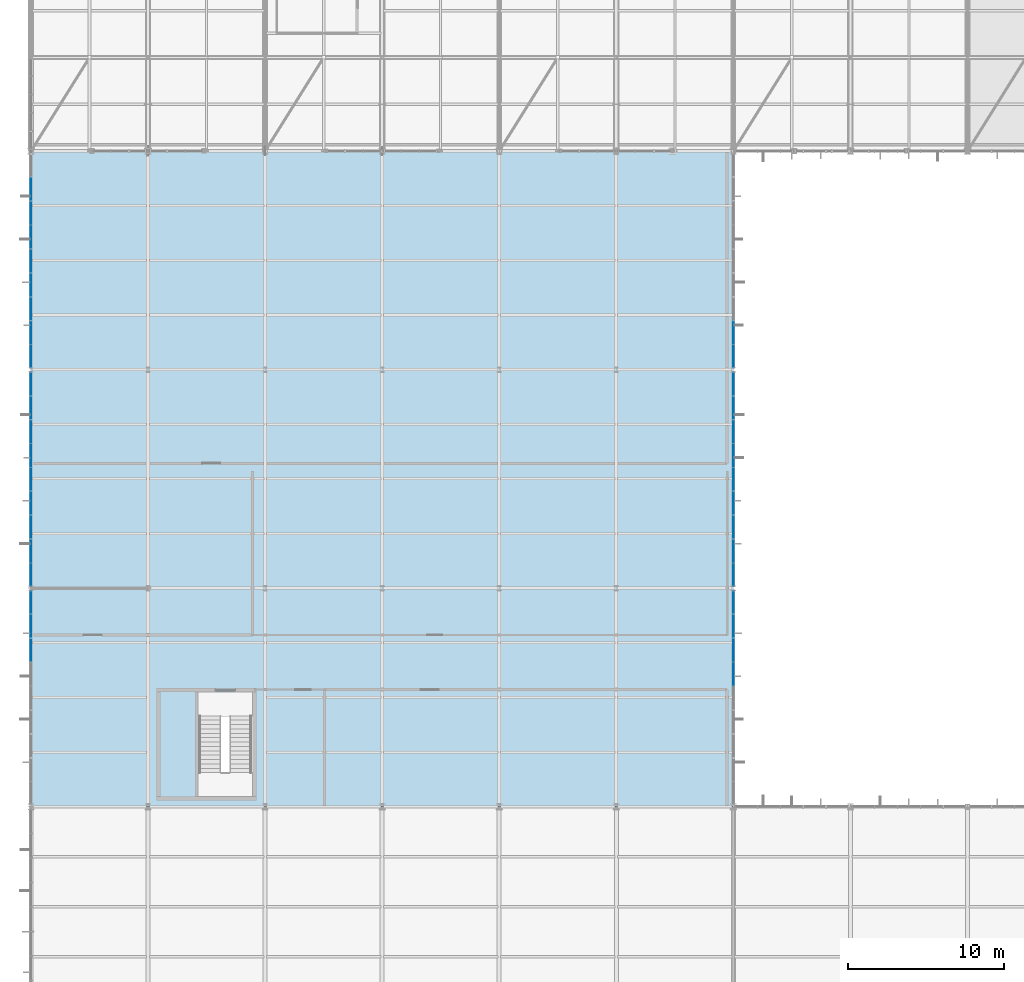
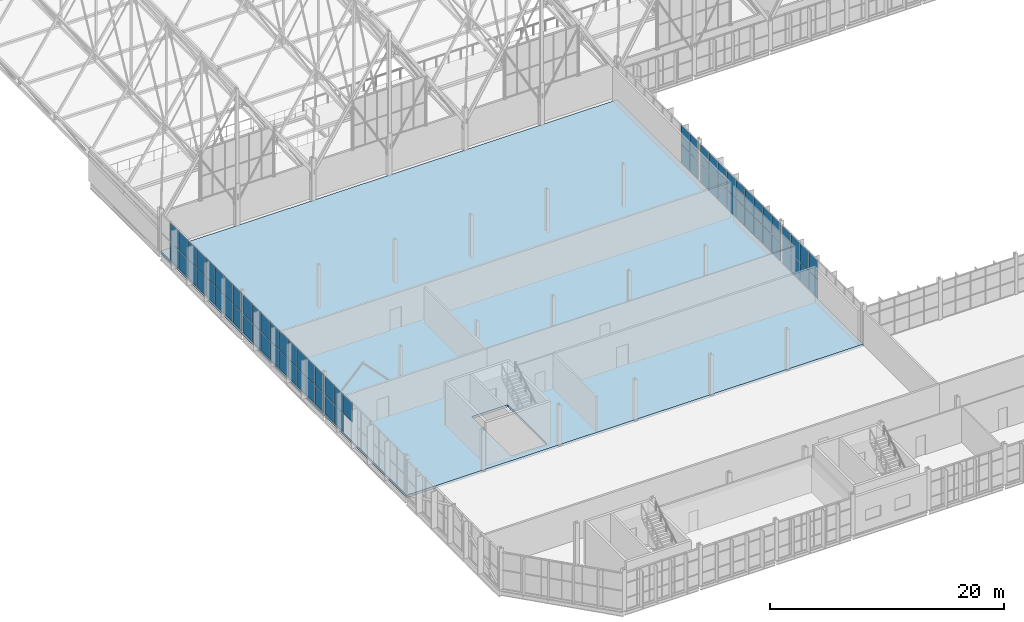
# One storey, part 268 of 324: 69 plates, 1 slab, 6 elements without a shape of their own.
"""IFC4 building model written with IfcOpenShell, lengths in metres."""

from ifc_helpers import new_model, si_unit, direction, frame, origin, origin_2d, place, context, subcontext, project, spatial, polyline, rectangle, outline, extrude, material, layer, layer_set, type_object, element, aggregate, save


model = new_model("IFC4")

# Units and contexts
model_context = context("Model", 3, precision=1e-05, world=origin(), true_north=direction((0.0, 1.0)))
body_context = subcontext(model_context, "Body", "Model", "MODEL_VIEW")
ifc_project = project(units=[si_unit("LENGTHUNIT", "METRE"), si_unit("AREAUNIT", "SQUARE_METRE"), si_unit("VOLUMEUNIT", "CUBIC_METRE"), si_unit("PLANEANGLEUNIT", "RADIAN"), si_unit("MASSUNIT", "GRAM", prefix="KILO")], contexts=[model_context])

# Site, building, storey
site_placement = place(None, origin())
site = spatial("IfcSite", under=ifc_project, at=site_placement, CompositionType="ELEMENT")
building_placement = place(site_placement, origin())
building = spatial("IfcBuilding", under=site, at=building_placement, Name="Solvenia Promenade Tram Depot", CompositionType="ELEMENT")
storey_placement = place(building_placement, frame((0.0, 0.0, 4.5)))
storey = spatial("IfcBuildingStorey", under=building, at=storey_placement, Name="L01", CompositionType="ELEMENT", Elevation=4.5)

# Curtain wall, plates
ifc_material_1 = material(Name="Anodized aluminium AW-6063 T6", Category="aluminium")
ifc_layer_1 = layer(ifc_material_1, 0.1201171875, Name="Anodized aluminium AW-6063 T6", Category="aluminium")
ifc_layer_set_1 = layer_set([ifc_layer_1], Name="Anodized aluminium AW-6063 T6")
curtain_wall_type = type_object("IfcCurtainWallType", Name="CW-Wash-1500", PredefinedType="NOTDEFINED", material=ifc_layer_set_1)
curtain_wall_1_placement = place(storey_placement, origin())
curtain_wall_1 = element("IfcCurtainWall", 1, at=curtain_wall_1_placement, inside=storey, type_object=curtain_wall_type, Name="Curtain Wall CW-V3-W-L1-1", PredefinedType="NOTDEFINED")
ifc_material_2 = material(Name="Low-iron translucent U-profile channel glass", Category="glass")
ifc_layer_2 = layer(ifc_material_2, 0.028076171875, Name="Low-iron translucent U-profile channel glass", Category="glass")
ifc_layer_set_2 = layer_set([ifc_layer_2], Name="Low-iron translucent U-profile channel glass")
plate_type = type_object("IfcPlateType", Name="CWP-Panel-1", PredefinedType="CURTAIN_PANEL", material=ifc_layer_set_2)
plate_1_placement = place(storey_placement, frame((0.0, 34.0322265625, 2.030029296875), z_axis=(0.0, 0.0, 1.0), x_axis=(0.0, 1.0, 0.0)))
plate_1 = element("IfcPlate", 2, at=plate_1_placement, type_object=plate_type, Name="CW-10 panel 7.2", PredefinedType="CURTAIN_PANEL", context=body_context, shape_type="SweptSolid", body=[
    extrude(rectangle(XDim=1.47900390625, YDim=0.028076171875, at=origin_2d()), origin(), (0.0, 0.0, 1.0), 1.9599609375),
])
plate_2_placement = place(storey_placement, frame((0.0, 35.563232421875, 0.06005859375), z_axis=(0.0, 0.0, 1.0), x_axis=(0.0, 1.0, 0.0)))
plate_2 = element("IfcPlate", 3, at=plate_2_placement, type_object=plate_type, Name="CW-10 panel 8.1", PredefinedType="CURTAIN_PANEL", context=body_context, shape_type="SweptSolid", body=[
    extrude(rectangle(XDim=1.47900390625, YDim=0.028076171875, at=origin_2d()), origin(), (0.0, 0.0, 1.0), 1.909912109375),
])
plate_3_placement = place(storey_placement, frame((0.0, 35.563232421875, 2.030029296875), z_axis=(0.0, 0.0, 1.0), x_axis=(0.0, 1.0, 0.0)))
plate_3 = element("IfcPlate", 4, at=plate_3_placement, type_object=plate_type, Name="CW-10 panel 8.2", PredefinedType="CURTAIN_PANEL", context=body_context, shape_type="SweptSolid", body=[
    extrude(rectangle(XDim=1.47900390625, YDim=0.028076171875, at=origin_2d()), origin(), (0.0, 0.0, 1.0), 1.9599609375),
])
plate_4_placement = place(storey_placement, frame((0.0, 37.08154296875, 0.06005859375), z_axis=(0.0, 0.0, 1.0), x_axis=(0.0, 1.0, 0.0)))
plate_4 = element("IfcPlate", 5, at=plate_4_placement, type_object=plate_type, Name="CW-10 panel 9.1", PredefinedType="CURTAIN_PANEL", context=body_context, shape_type="SweptSolid", body=[
    extrude(rectangle(XDim=1.453125, YDim=0.028076171875, at=origin_2d()), origin(), (0.0, 0.0, 1.0), 1.909912109375),
])
plate_5_placement = place(storey_placement, frame((0.0, 37.08154296875, 2.030029296875), z_axis=(0.0, 0.0, 1.0), x_axis=(0.0, 1.0, 0.0)))
plate_5 = element("IfcPlate", 6, at=plate_5_placement, type_object=plate_type, Name="CW-10 panel 9.2", PredefinedType="CURTAIN_PANEL", context=body_context, shape_type="SweptSolid", body=[
    extrude(rectangle(XDim=1.453125, YDim=0.028076171875, at=origin_2d()), origin(), (0.0, 0.0, 1.0), 1.9599609375),
])
aggregate(curtain_wall_1, [plate_1, plate_2, plate_3, plate_4, plate_5])

curtain_wall_2_placement = place(storey_placement, origin())
curtain_wall_2 = element("IfcCurtainWall", 7, at=curtain_wall_2_placement, inside=storey, type_object=curtain_wall_type, Name="Curtain Wall CW-V3-W-L1-2", PredefinedType="NOTDEFINED")
plate_6_placement = place(storey_placement, frame((0.0, 38.858642578125, 0.06005859375), z_axis=(0.0, 0.0, 1.0), x_axis=(0.0, 1.0, 0.0)))
plate_6 = element("IfcPlate", 8, at=plate_6_placement, type_object=plate_type, Name="CW-10 panel 1.1", PredefinedType="CURTAIN_PANEL", context=body_context, shape_type="SweptSolid", body=[
    extrude(rectangle(XDim=1.453125, YDim=0.028076171875, at=origin_2d()), origin(), (0.0, 0.0, 1.0), 1.909912109375),
])
plate_7_placement = place(storey_placement, frame((0.0, 38.858642578125, 2.030029296875), z_axis=(0.0, 0.0, 1.0), x_axis=(0.0, 1.0, 0.0)))
plate_7 = element("IfcPlate", 9, at=plate_7_placement, type_object=plate_type, Name="CW-10 panel 1.2", PredefinedType="CURTAIN_PANEL", context=body_context, shape_type="SweptSolid", body=[
    extrude(rectangle(XDim=1.453125, YDim=0.028076171875, at=origin_2d()), origin(), (0.0, 0.0, 1.0), 1.9599609375),
])
plate_8_placement = place(storey_placement, frame((0.0, 40.376708984375, 0.06005859375), z_axis=(0.0, 0.0, 1.0), x_axis=(0.0, 1.0, 0.0)))
plate_8 = element("IfcPlate", 10, at=plate_8_placement, type_object=plate_type, Name="CW-10 panel 2.1", PredefinedType="CURTAIN_PANEL", context=body_context, shape_type="SweptSolid", body=[
    extrude(rectangle(XDim=1.47900390625, YDim=0.028076171875, at=origin_2d()), origin(), (0.0, 0.0, 1.0), 1.909912109375),
])
plate_9_placement = place(storey_placement, frame((0.0, 40.376708984375, 2.030029296875), z_axis=(0.0, 0.0, 1.0), x_axis=(0.0, 1.0, 0.0)))
plate_9 = element("IfcPlate", 11, at=plate_9_placement, type_object=plate_type, Name="CW-10 panel 2.2", PredefinedType="CURTAIN_PANEL", context=body_context, shape_type="SweptSolid", body=[
    extrude(rectangle(XDim=1.47900390625, YDim=0.028076171875, at=origin_2d()), origin(), (0.0, 0.0, 1.0), 1.9599609375),
])
plate_10_placement = place(storey_placement, frame((0.0, 41.90771484375, 0.06005859375), z_axis=(0.0, 0.0, 1.0), x_axis=(0.0, 1.0, 0.0)))
plate_10 = element("IfcPlate", 12, at=plate_10_placement, type_object=plate_type, Name="CW-10 panel 3.1", PredefinedType="CURTAIN_PANEL", context=body_context, shape_type="SweptSolid", body=[
    extrude(rectangle(XDim=1.47900390625, YDim=0.028076171875, at=origin_2d()), origin(), (0.0, 0.0, 1.0), 1.909912109375),
])
plate_11_placement = place(storey_placement, frame((0.0, 41.90771484375, 2.030029296875), z_axis=(0.0, 0.0, 1.0), x_axis=(0.0, 1.0, 0.0)))
plate_11 = element("IfcPlate", 13, at=plate_11_placement, type_object=plate_type, Name="CW-10 panel 3.2", PredefinedType="CURTAIN_PANEL", context=body_context, shape_type="SweptSolid", body=[
    extrude(rectangle(XDim=1.47900390625, YDim=0.028076171875, at=origin_2d()), origin(), (0.0, 0.0, 1.0), 1.9599609375),
])
plate_12_placement = place(storey_placement, frame((0.0, 43.43896484375, 0.06005859375), z_axis=(0.0, 0.0, 1.0), x_axis=(0.0, 1.0, 0.0)))
plate_12 = element("IfcPlate", 14, at=plate_12_placement, type_object=plate_type, Name="CW-10 panel 4.1", PredefinedType="CURTAIN_PANEL", context=body_context, shape_type="SweptSolid", body=[
    extrude(rectangle(XDim=1.47900390625, YDim=0.028076171875, at=origin_2d()), origin(), (0.0, 0.0, 1.0), 1.909912109375),
])
plate_13_placement = place(storey_placement, frame((0.0, 43.43896484375, 2.030029296875), z_axis=(0.0, 0.0, 1.0), x_axis=(0.0, 1.0, 0.0)))
plate_13 = element("IfcPlate", 15, at=plate_13_placement, type_object=plate_type, Name="CW-10 panel 4.2", PredefinedType="CURTAIN_PANEL", context=body_context, shape_type="SweptSolid", body=[
    extrude(rectangle(XDim=1.47900390625, YDim=0.028076171875, at=origin_2d()), origin(), (0.0, 0.0, 1.0), 1.9599609375),
])
plate_14_placement = place(storey_placement, frame((0.0, 44.969970703125, 0.06005859375), z_axis=(0.0, 0.0, 1.0), x_axis=(0.0, 1.0, 0.0)))
plate_14 = element("IfcPlate", 16, at=plate_14_placement, type_object=plate_type, Name="CW-10 panel 5.1", PredefinedType="CURTAIN_PANEL", context=body_context, shape_type="SweptSolid", body=[
    extrude(rectangle(XDim=1.47900390625, YDim=0.028076171875, at=origin_2d()), origin(), (0.0, 0.0, 1.0), 1.909912109375),
])
plate_15_placement = place(storey_placement, frame((0.0, 44.969970703125, 2.030029296875), z_axis=(0.0, 0.0, 1.0), x_axis=(0.0, 1.0, 0.0)))
plate_15 = element("IfcPlate", 17, at=plate_15_placement, type_object=plate_type, Name="CW-10 panel 5.2", PredefinedType="CURTAIN_PANEL", context=body_context, shape_type="SweptSolid", body=[
    extrude(rectangle(XDim=1.47900390625, YDim=0.028076171875, at=origin_2d()), origin(), (0.0, 0.0, 1.0), 1.9599609375),
])
plate_16_placement = place(storey_placement, frame((0.0, 46.501220703125, 0.06005859375), z_axis=(0.0, 0.0, 1.0), x_axis=(0.0, 1.0, 0.0)))
plate_16 = element("IfcPlate", 18, at=plate_16_placement, type_object=plate_type, Name="CW-10 panel 6.1", PredefinedType="CURTAIN_PANEL", context=body_context, shape_type="SweptSolid", body=[
    extrude(rectangle(XDim=1.47900390625, YDim=0.028076171875, at=origin_2d()), origin(), (0.0, 0.0, 1.0), 1.909912109375),
])
plate_17_placement = place(storey_placement, frame((0.0, 46.501220703125, 2.030029296875), z_axis=(0.0, 0.0, 1.0), x_axis=(0.0, 1.0, 0.0)))
plate_17 = element("IfcPlate", 19, at=plate_17_placement, type_object=plate_type, Name="CW-10 panel 6.2", PredefinedType="CURTAIN_PANEL", context=body_context, shape_type="SweptSolid", body=[
    extrude(rectangle(XDim=1.47900390625, YDim=0.028076171875, at=origin_2d()), origin(), (0.0, 0.0, 1.0), 1.9599609375),
])
plate_18_placement = place(storey_placement, frame((0.0, 48.0322265625, 0.06005859375), z_axis=(0.0, 0.0, 1.0), x_axis=(0.0, 1.0, 0.0)))
plate_18 = element("IfcPlate", 20, at=plate_18_placement, type_object=plate_type, Name="CW-10 panel 7.1", PredefinedType="CURTAIN_PANEL", context=body_context, shape_type="SweptSolid", body=[
    extrude(rectangle(XDim=1.47900390625, YDim=0.028076171875, at=origin_2d()), origin(), (0.0, 0.0, 1.0), 1.909912109375),
])
plate_19_placement = place(storey_placement, frame((0.0, 48.0322265625, 2.030029296875), z_axis=(0.0, 0.0, 1.0), x_axis=(0.0, 1.0, 0.0)))
plate_19 = element("IfcPlate", 21, at=plate_19_placement, type_object=plate_type, Name="CW-10 panel 7.2", PredefinedType="CURTAIN_PANEL", context=body_context, shape_type="SweptSolid", body=[
    extrude(rectangle(XDim=1.47900390625, YDim=0.028076171875, at=origin_2d()), origin(), (0.0, 0.0, 1.0), 1.9599609375),
])
plate_20_placement = place(storey_placement, frame((0.0, 49.563232421875, 0.06005859375), z_axis=(0.0, 0.0, 1.0), x_axis=(0.0, 1.0, 0.0)))
plate_20 = element("IfcPlate", 22, at=plate_20_placement, type_object=plate_type, Name="CW-10 panel 8.1", PredefinedType="CURTAIN_PANEL", context=body_context, shape_type="SweptSolid", body=[
    extrude(rectangle(XDim=1.47900390625, YDim=0.028076171875, at=origin_2d()), origin(), (0.0, 0.0, 1.0), 1.909912109375),
])
plate_21_placement = place(storey_placement, frame((0.0, 49.563232421875, 2.030029296875), z_axis=(0.0, 0.0, 1.0), x_axis=(0.0, 1.0, 0.0)))
plate_21 = element("IfcPlate", 23, at=plate_21_placement, type_object=plate_type, Name="CW-10 panel 8.2", PredefinedType="CURTAIN_PANEL", context=body_context, shape_type="SweptSolid", body=[
    extrude(rectangle(XDim=1.47900390625, YDim=0.028076171875, at=origin_2d()), origin(), (0.0, 0.0, 1.0), 1.9599609375),
])
plate_22_placement = place(storey_placement, frame((0.0, 51.08154296875, 0.06005859375), z_axis=(0.0, 0.0, 1.0), x_axis=(0.0, 1.0, 0.0)))
plate_22 = element("IfcPlate", 24, at=plate_22_placement, type_object=plate_type, Name="CW-10 panel 9.1", PredefinedType="CURTAIN_PANEL", context=body_context, shape_type="SweptSolid", body=[
    extrude(rectangle(XDim=1.453125, YDim=0.028076171875, at=origin_2d()), origin(), (0.0, 0.0, 1.0), 1.909912109375),
])
plate_23_placement = place(storey_placement, frame((0.0, 51.08154296875, 2.030029296875), z_axis=(0.0, 0.0, 1.0), x_axis=(0.0, 1.0, 0.0)))
plate_23 = element("IfcPlate", 25, at=plate_23_placement, type_object=plate_type, Name="CW-10 panel 9.2", PredefinedType="CURTAIN_PANEL", context=body_context, shape_type="SweptSolid", body=[
    extrude(rectangle(XDim=1.453125, YDim=0.028076171875, at=origin_2d()), origin(), (0.0, 0.0, 1.0), 1.9599609375),
])
aggregate(curtain_wall_2, [plate_6, plate_7, plate_8, plate_9, plate_10, plate_11, plate_12, plate_13, plate_14, plate_15, plate_16, plate_17, plate_18, plate_19, plate_20, plate_21, plate_22, plate_23])

curtain_wall_3_placement = place(storey_placement, origin())
curtain_wall_3 = element("IfcCurtainWall", 26, at=curtain_wall_3_placement, inside=storey, type_object=curtain_wall_type, Name="Curtain Wall CW-V3-W-L1-3", PredefinedType="NOTDEFINED")
plate_24_placement = place(storey_placement, frame((0.0, 52.858642578125, 0.06005859375), z_axis=(0.0, 0.0, 1.0), x_axis=(0.0, 1.0, 0.0)))
plate_24 = element("IfcPlate", 27, at=plate_24_placement, type_object=plate_type, Name="CW-10 panel 1.1", PredefinedType="CURTAIN_PANEL", context=body_context, shape_type="SweptSolid", body=[
    extrude(rectangle(XDim=1.453125, YDim=0.028076171875, at=origin_2d()), origin(), (0.0, 0.0, 1.0), 1.909912109375),
])
plate_25_placement = place(storey_placement, frame((0.0, 52.858642578125, 2.030029296875), z_axis=(0.0, 0.0, 1.0), x_axis=(0.0, 1.0, 0.0)))
plate_25 = element("IfcPlate", 28, at=plate_25_placement, type_object=plate_type, Name="CW-10 panel 1.2", PredefinedType="CURTAIN_PANEL", context=body_context, shape_type="SweptSolid", body=[
    extrude(rectangle(XDim=1.453125, YDim=0.028076171875, at=origin_2d()), origin(), (0.0, 0.0, 1.0), 1.9599609375),
])
plate_26_placement = place(storey_placement, frame((0.0, 54.376708984375, 0.06005859375), z_axis=(0.0, 0.0, 1.0), x_axis=(0.0, 1.0, 0.0)))
plate_26 = element("IfcPlate", 29, at=plate_26_placement, type_object=plate_type, Name="CW-10 panel 2.1", PredefinedType="CURTAIN_PANEL", context=body_context, shape_type="SweptSolid", body=[
    extrude(rectangle(XDim=1.47900390625, YDim=0.028076171875, at=origin_2d()), origin(), (0.0, 0.0, 1.0), 1.909912109375),
])
plate_27_placement = place(storey_placement, frame((0.0, 54.376708984375, 2.030029296875), z_axis=(0.0, 0.0, 1.0), x_axis=(0.0, 1.0, 0.0)))
plate_27 = element("IfcPlate", 30, at=plate_27_placement, type_object=plate_type, Name="CW-10 panel 2.2", PredefinedType="CURTAIN_PANEL", context=body_context, shape_type="SweptSolid", body=[
    extrude(rectangle(XDim=1.47900390625, YDim=0.028076171875, at=origin_2d()), origin(), (0.0, 0.0, 1.0), 1.9599609375),
])
plate_28_placement = place(storey_placement, frame((0.0, 55.90771484375, 0.06005859375), z_axis=(0.0, 0.0, 1.0), x_axis=(0.0, 1.0, 0.0)))
plate_28 = element("IfcPlate", 31, at=plate_28_placement, type_object=plate_type, Name="CW-10 panel 3.1", PredefinedType="CURTAIN_PANEL", context=body_context, shape_type="SweptSolid", body=[
    extrude(rectangle(XDim=1.47900390625, YDim=0.028076171875, at=origin_2d()), origin(), (0.0, 0.0, 1.0), 1.909912109375),
])
plate_29_placement = place(storey_placement, frame((0.0, 55.90771484375, 2.030029296875), z_axis=(0.0, 0.0, 1.0), x_axis=(0.0, 1.0, 0.0)))
plate_29 = element("IfcPlate", 32, at=plate_29_placement, type_object=plate_type, Name="CW-10 panel 3.2", PredefinedType="CURTAIN_PANEL", context=body_context, shape_type="SweptSolid", body=[
    extrude(rectangle(XDim=1.47900390625, YDim=0.028076171875, at=origin_2d()), origin(), (0.0, 0.0, 1.0), 1.9599609375),
])
plate_30_placement = place(storey_placement, frame((0.0, 57.43896484375, 0.06005859375), z_axis=(0.0, 0.0, 1.0), x_axis=(0.0, 1.0, 0.0)))
plate_30 = element("IfcPlate", 33, at=plate_30_placement, type_object=plate_type, Name="CW-10 panel 4.1", PredefinedType="CURTAIN_PANEL", context=body_context, shape_type="SweptSolid", body=[
    extrude(rectangle(XDim=1.47900390625, YDim=0.028076171875, at=origin_2d()), origin(), (0.0, 0.0, 1.0), 1.909912109375),
])
plate_31_placement = place(storey_placement, frame((0.0, 57.43896484375, 2.030029296875), z_axis=(0.0, 0.0, 1.0), x_axis=(0.0, 1.0, 0.0)))
plate_31 = element("IfcPlate", 34, at=plate_31_placement, type_object=plate_type, Name="CW-10 panel 4.2", PredefinedType="CURTAIN_PANEL", context=body_context, shape_type="SweptSolid", body=[
    extrude(rectangle(XDim=1.47900390625, YDim=0.028076171875, at=origin_2d()), origin(), (0.0, 0.0, 1.0), 1.9599609375),
])
plate_32_placement = place(storey_placement, frame((0.0, 58.969970703125, 0.06005859375), z_axis=(0.0, 0.0, 1.0), x_axis=(0.0, 1.0, 0.0)))
plate_32 = element("IfcPlate", 35, at=plate_32_placement, type_object=plate_type, Name="CW-10 panel 5.1", PredefinedType="CURTAIN_PANEL", context=body_context, shape_type="SweptSolid", body=[
    extrude(rectangle(XDim=1.47900390625, YDim=0.028076171875, at=origin_2d()), origin(), (0.0, 0.0, 1.0), 1.909912109375),
])
plate_33_placement = place(storey_placement, frame((0.0, 58.969970703125, 2.030029296875), z_axis=(0.0, 0.0, 1.0), x_axis=(0.0, 1.0, 0.0)))
plate_33 = element("IfcPlate", 36, at=plate_33_placement, type_object=plate_type, Name="CW-10 panel 5.2", PredefinedType="CURTAIN_PANEL", context=body_context, shape_type="SweptSolid", body=[
    extrude(rectangle(XDim=1.47900390625, YDim=0.028076171875, at=origin_2d()), origin(), (0.0, 0.0, 1.0), 1.9599609375),
])
plate_34_placement = place(storey_placement, frame((0.0, 60.501220703125, 0.06005859375), z_axis=(0.0, 0.0, 1.0), x_axis=(0.0, 1.0, 0.0)))
plate_34 = element("IfcPlate", 37, at=plate_34_placement, type_object=plate_type, Name="CW-10 panel 6.1", PredefinedType="CURTAIN_PANEL", context=body_context, shape_type="SweptSolid", body=[
    extrude(rectangle(XDim=1.47900390625, YDim=0.028076171875, at=origin_2d()), origin(), (0.0, 0.0, 1.0), 1.909912109375),
])
plate_35_placement = place(storey_placement, frame((0.0, 60.501220703125, 2.030029296875), z_axis=(0.0, 0.0, 1.0), x_axis=(0.0, 1.0, 0.0)))
plate_35 = element("IfcPlate", 38, at=plate_35_placement, type_object=plate_type, Name="CW-10 panel 6.2", PredefinedType="CURTAIN_PANEL", context=body_context, shape_type="SweptSolid", body=[
    extrude(rectangle(XDim=1.47900390625, YDim=0.028076171875, at=origin_2d()), origin(), (0.0, 0.0, 1.0), 1.9599609375),
])
plate_36_placement = place(storey_placement, frame((0.0, 62.0322265625, 0.06005859375), z_axis=(0.0, 0.0, 1.0), x_axis=(0.0, 1.0, 0.0)))
plate_36 = element("IfcPlate", 39, at=plate_36_placement, type_object=plate_type, Name="CW-10 panel 7.1", PredefinedType="CURTAIN_PANEL", context=body_context, shape_type="SweptSolid", body=[
    extrude(rectangle(XDim=1.47900390625, YDim=0.028076171875, at=origin_2d()), origin(), (0.0, 0.0, 1.0), 1.909912109375),
])
plate_37_placement = place(storey_placement, frame((0.0, 62.0322265625, 2.030029296875), z_axis=(0.0, 0.0, 1.0), x_axis=(0.0, 1.0, 0.0)))
plate_37 = element("IfcPlate", 40, at=plate_37_placement, type_object=plate_type, Name="CW-10 panel 7.2", PredefinedType="CURTAIN_PANEL", context=body_context, shape_type="SweptSolid", body=[
    extrude(rectangle(XDim=1.47900390625, YDim=0.028076171875, at=origin_2d()), origin(), (0.0, 0.0, 1.0), 1.9599609375),
])
plate_38_placement = place(storey_placement, frame((0.0, 63.563232421875, 0.06005859375), z_axis=(0.0, 0.0, 1.0), x_axis=(0.0, 1.0, 0.0)))
plate_38 = element("IfcPlate", 41, at=plate_38_placement, type_object=plate_type, Name="CW-10 panel 8.1", PredefinedType="CURTAIN_PANEL", context=body_context, shape_type="SweptSolid", body=[
    extrude(rectangle(XDim=1.47900390625, YDim=0.028076171875, at=origin_2d()), origin(), (0.0, 0.0, 1.0), 1.909912109375),
])
plate_39_placement = place(storey_placement, frame((0.0, 63.563232421875, 2.030029296875), z_axis=(0.0, 0.0, 1.0), x_axis=(0.0, 1.0, 0.0)))
plate_39 = element("IfcPlate", 42, at=plate_39_placement, type_object=plate_type, Name="CW-10 panel 8.2", PredefinedType="CURTAIN_PANEL", context=body_context, shape_type="SweptSolid", body=[
    extrude(rectangle(XDim=1.47900390625, YDim=0.028076171875, at=origin_2d()), origin(), (0.0, 0.0, 1.0), 1.9599609375),
])
aggregate(curtain_wall_3, [plate_24, plate_25, plate_26, plate_27, plate_28, plate_29, plate_30, plate_31, plate_32, plate_33, plate_34, plate_35, plate_36, plate_37, plate_38, plate_39])

curtain_wall_4_placement = place(storey_placement, origin())
curtain_wall_4 = element("IfcCurtainWall", 43, at=curtain_wall_4_placement, inside=storey, type_object=curtain_wall_type, Name="Curtain Wall CW-V3-E-L1-1", PredefinedType="NOTDEFINED")
plate_40_placement = place(storey_placement, frame((45.0, 32.501220703125, 0.06005859375), z_axis=(0.0, 0.0, 1.0), x_axis=(0.0, 1.0, 0.0)))
plate_40 = element("IfcPlate", 44, at=plate_40_placement, type_object=plate_type, Name="CW-10 panel 6.1", PredefinedType="CURTAIN_PANEL", context=body_context, shape_type="SweptSolid", body=[
    extrude(rectangle(XDim=1.47900390625, YDim=0.028076171875, at=origin_2d()), origin(), (0.0, 0.0, 1.0), 1.909912109375),
])
plate_41_placement = place(storey_placement, frame((45.0, 32.501220703125, 2.030029296875), z_axis=(0.0, 0.0, 1.0), x_axis=(0.0, 1.0, 0.0)))
plate_41 = element("IfcPlate", 45, at=plate_41_placement, type_object=plate_type, Name="CW-10 panel 6.2", PredefinedType="CURTAIN_PANEL", context=body_context, shape_type="SweptSolid", body=[
    extrude(rectangle(XDim=1.47900390625, YDim=0.028076171875, at=origin_2d()), origin(), (0.0, 0.0, 1.0), 1.9599609375),
])
plate_42_placement = place(storey_placement, frame((45.0, 34.0322265625, 0.06005859375), z_axis=(0.0, 0.0, 1.0), x_axis=(0.0, 1.0, 0.0)))
plate_42 = element("IfcPlate", 46, at=plate_42_placement, type_object=plate_type, Name="CW-10 panel 7.1", PredefinedType="CURTAIN_PANEL", context=body_context, shape_type="SweptSolid", body=[
    extrude(rectangle(XDim=1.47900390625, YDim=0.028076171875, at=origin_2d()), origin(), (0.0, 0.0, 1.0), 1.909912109375),
])
plate_43_placement = place(storey_placement, frame((45.0, 34.0322265625, 2.030029296875), z_axis=(0.0, 0.0, 1.0), x_axis=(0.0, 1.0, 0.0)))
plate_43 = element("IfcPlate", 47, at=plate_43_placement, type_object=plate_type, Name="CW-10 panel 7.2", PredefinedType="CURTAIN_PANEL", context=body_context, shape_type="SweptSolid", body=[
    extrude(rectangle(XDim=1.47900390625, YDim=0.028076171875, at=origin_2d()), origin(), (0.0, 0.0, 1.0), 1.9599609375),
])
plate_44_placement = place(storey_placement, frame((45.0, 35.563232421875, 0.06005859375), z_axis=(0.0, 0.0, 1.0), x_axis=(0.0, 1.0, 0.0)))
plate_44 = element("IfcPlate", 48, at=plate_44_placement, type_object=plate_type, Name="CW-10 panel 8.1", PredefinedType="CURTAIN_PANEL", context=body_context, shape_type="SweptSolid", body=[
    extrude(rectangle(XDim=1.47900390625, YDim=0.028076171875, at=origin_2d()), origin(), (0.0, 0.0, 1.0), 1.909912109375),
])
plate_45_placement = place(storey_placement, frame((45.0, 35.563232421875, 2.030029296875), z_axis=(0.0, 0.0, 1.0), x_axis=(0.0, 1.0, 0.0)))
plate_45 = element("IfcPlate", 49, at=plate_45_placement, type_object=plate_type, Name="CW-10 panel 8.2", PredefinedType="CURTAIN_PANEL", context=body_context, shape_type="SweptSolid", body=[
    extrude(rectangle(XDim=1.47900390625, YDim=0.028076171875, at=origin_2d()), origin(), (0.0, 0.0, 1.0), 1.9599609375),
])
plate_46_placement = place(storey_placement, frame((45.0, 37.08154296875, 0.06005859375), z_axis=(0.0, 0.0, 1.0), x_axis=(0.0, 1.0, 0.0)))
plate_46 = element("IfcPlate", 50, at=plate_46_placement, type_object=plate_type, Name="CW-10 panel 9.1", PredefinedType="CURTAIN_PANEL", context=body_context, shape_type="SweptSolid", body=[
    extrude(rectangle(XDim=1.453125, YDim=0.028076171875, at=origin_2d()), origin(), (0.0, 0.0, 1.0), 1.909912109375),
])
plate_47_placement = place(storey_placement, frame((45.0, 37.08154296875, 2.030029296875), z_axis=(0.0, 0.0, 1.0), x_axis=(0.0, 1.0, 0.0)))
plate_47 = element("IfcPlate", 51, at=plate_47_placement, type_object=plate_type, Name="CW-10 panel 9.2", PredefinedType="CURTAIN_PANEL", context=body_context, shape_type="SweptSolid", body=[
    extrude(rectangle(XDim=1.453125, YDim=0.028076171875, at=origin_2d()), origin(), (0.0, 0.0, 1.0), 1.9599609375),
])
aggregate(curtain_wall_4, [plate_40, plate_41, plate_42, plate_43, plate_44, plate_45, plate_46, plate_47])

curtain_wall_5_placement = place(storey_placement, origin())
curtain_wall_5 = element("IfcCurtainWall", 52, at=curtain_wall_5_placement, inside=storey, type_object=curtain_wall_type, Name="Curtain Wall CW-V3-E-L1-2", PredefinedType="NOTDEFINED")
plate_48_placement = place(storey_placement, frame((45.0, 38.858642578125, 0.06005859375), z_axis=(0.0, 0.0, 1.0), x_axis=(0.0, 1.0, 0.0)))
plate_48 = element("IfcPlate", 53, at=plate_48_placement, type_object=plate_type, Name="CW-10 panel 1.1", PredefinedType="CURTAIN_PANEL", context=body_context, shape_type="SweptSolid", body=[
    extrude(rectangle(XDim=1.453125, YDim=0.028076171875, at=origin_2d()), origin(), (0.0, 0.0, 1.0), 1.909912109375),
])
plate_49_placement = place(storey_placement, frame((45.0, 38.858642578125, 2.030029296875), z_axis=(0.0, 0.0, 1.0), x_axis=(0.0, 1.0, 0.0)))
plate_49 = element("IfcPlate", 54, at=plate_49_placement, type_object=plate_type, Name="CW-10 panel 1.2", PredefinedType="CURTAIN_PANEL", context=body_context, shape_type="SweptSolid", body=[
    extrude(rectangle(XDim=1.453125, YDim=0.028076171875, at=origin_2d()), origin(), (0.0, 0.0, 1.0), 1.9599609375),
])
plate_50_placement = place(storey_placement, frame((45.0, 40.376708984375, 0.06005859375), z_axis=(0.0, 0.0, 1.0), x_axis=(0.0, 1.0, 0.0)))
plate_50 = element("IfcPlate", 55, at=plate_50_placement, type_object=plate_type, Name="CW-10 panel 2.1", PredefinedType="CURTAIN_PANEL", context=body_context, shape_type="SweptSolid", body=[
    extrude(rectangle(XDim=1.47900390625, YDim=0.028076171875, at=origin_2d()), origin(), (0.0, 0.0, 1.0), 1.909912109375),
])
plate_51_placement = place(storey_placement, frame((45.0, 40.376708984375, 2.030029296875), z_axis=(0.0, 0.0, 1.0), x_axis=(0.0, 1.0, 0.0)))
plate_51 = element("IfcPlate", 56, at=plate_51_placement, type_object=plate_type, Name="CW-10 panel 2.2", PredefinedType="CURTAIN_PANEL", context=body_context, shape_type="SweptSolid", body=[
    extrude(rectangle(XDim=1.47900390625, YDim=0.028076171875, at=origin_2d()), origin(), (0.0, 0.0, 1.0), 1.9599609375),
])
plate_52_placement = place(storey_placement, frame((45.0, 41.90771484375, 0.06005859375), z_axis=(0.0, 0.0, 1.0), x_axis=(0.0, 1.0, 0.0)))
plate_52 = element("IfcPlate", 57, at=plate_52_placement, type_object=plate_type, Name="CW-10 panel 3.1", PredefinedType="CURTAIN_PANEL", context=body_context, shape_type="SweptSolid", body=[
    extrude(rectangle(XDim=1.47900390625, YDim=0.028076171875, at=origin_2d()), origin(), (0.0, 0.0, 1.0), 1.909912109375),
])
plate_53_placement = place(storey_placement, frame((45.0, 41.90771484375, 2.030029296875), z_axis=(0.0, 0.0, 1.0), x_axis=(0.0, 1.0, 0.0)))
plate_53 = element("IfcPlate", 58, at=plate_53_placement, type_object=plate_type, Name="CW-10 panel 3.2", PredefinedType="CURTAIN_PANEL", context=body_context, shape_type="SweptSolid", body=[
    extrude(rectangle(XDim=1.47900390625, YDim=0.028076171875, at=origin_2d()), origin(), (0.0, 0.0, 1.0), 1.9599609375),
])
plate_54_placement = place(storey_placement, frame((45.0, 43.43896484375, 0.06005859375), z_axis=(0.0, 0.0, 1.0), x_axis=(0.0, 1.0, 0.0)))
plate_54 = element("IfcPlate", 59, at=plate_54_placement, type_object=plate_type, Name="CW-10 panel 4.1", PredefinedType="CURTAIN_PANEL", context=body_context, shape_type="SweptSolid", body=[
    extrude(rectangle(XDim=1.47900390625, YDim=0.028076171875, at=origin_2d()), origin(), (0.0, 0.0, 1.0), 1.909912109375),
])
plate_55_placement = place(storey_placement, frame((45.0, 43.43896484375, 2.030029296875), z_axis=(0.0, 0.0, 1.0), x_axis=(0.0, 1.0, 0.0)))
plate_55 = element("IfcPlate", 60, at=plate_55_placement, type_object=plate_type, Name="CW-10 panel 4.2", PredefinedType="CURTAIN_PANEL", context=body_context, shape_type="SweptSolid", body=[
    extrude(rectangle(XDim=1.47900390625, YDim=0.028076171875, at=origin_2d()), origin(), (0.0, 0.0, 1.0), 1.9599609375),
])
plate_56_placement = place(storey_placement, frame((45.0, 44.969970703125, 0.06005859375), z_axis=(0.0, 0.0, 1.0), x_axis=(0.0, 1.0, 0.0)))
plate_56 = element("IfcPlate", 61, at=plate_56_placement, type_object=plate_type, Name="CW-10 panel 5.1", PredefinedType="CURTAIN_PANEL", context=body_context, shape_type="SweptSolid", body=[
    extrude(rectangle(XDim=1.47900390625, YDim=0.028076171875, at=origin_2d()), origin(), (0.0, 0.0, 1.0), 1.909912109375),
])
plate_57_placement = place(storey_placement, frame((45.0, 44.969970703125, 2.030029296875), z_axis=(0.0, 0.0, 1.0), x_axis=(0.0, 1.0, 0.0)))
plate_57 = element("IfcPlate", 62, at=plate_57_placement, type_object=plate_type, Name="CW-10 panel 5.2", PredefinedType="CURTAIN_PANEL", context=body_context, shape_type="SweptSolid", body=[
    extrude(rectangle(XDim=1.47900390625, YDim=0.028076171875, at=origin_2d()), origin(), (0.0, 0.0, 1.0), 1.9599609375),
])
plate_58_placement = place(storey_placement, frame((45.0, 46.501220703125, 0.06005859375), z_axis=(0.0, 0.0, 1.0), x_axis=(0.0, 1.0, 0.0)))
plate_58 = element("IfcPlate", 63, at=plate_58_placement, type_object=plate_type, Name="CW-10 panel 6.1", PredefinedType="CURTAIN_PANEL", context=body_context, shape_type="SweptSolid", body=[
    extrude(rectangle(XDim=1.47900390625, YDim=0.028076171875, at=origin_2d()), origin(), (0.0, 0.0, 1.0), 1.909912109375),
])
plate_59_placement = place(storey_placement, frame((45.0, 46.501220703125, 2.030029296875), z_axis=(0.0, 0.0, 1.0), x_axis=(0.0, 1.0, 0.0)))
plate_59 = element("IfcPlate", 64, at=plate_59_placement, type_object=plate_type, Name="CW-10 panel 6.2", PredefinedType="CURTAIN_PANEL", context=body_context, shape_type="SweptSolid", body=[
    extrude(rectangle(XDim=1.47900390625, YDim=0.028076171875, at=origin_2d()), origin(), (0.0, 0.0, 1.0), 1.9599609375),
])
plate_60_placement = place(storey_placement, frame((45.0, 48.0322265625, 0.06005859375), z_axis=(0.0, 0.0, 1.0), x_axis=(0.0, 1.0, 0.0)))
plate_60 = element("IfcPlate", 65, at=plate_60_placement, type_object=plate_type, Name="CW-10 panel 7.1", PredefinedType="CURTAIN_PANEL", context=body_context, shape_type="SweptSolid", body=[
    extrude(rectangle(XDim=1.47900390625, YDim=0.028076171875, at=origin_2d()), origin(), (0.0, 0.0, 1.0), 1.909912109375),
])
plate_61_placement = place(storey_placement, frame((45.0, 48.0322265625, 2.030029296875), z_axis=(0.0, 0.0, 1.0), x_axis=(0.0, 1.0, 0.0)))
plate_61 = element("IfcPlate", 66, at=plate_61_placement, type_object=plate_type, Name="CW-10 panel 7.2", PredefinedType="CURTAIN_PANEL", context=body_context, shape_type="SweptSolid", body=[
    extrude(rectangle(XDim=1.47900390625, YDim=0.028076171875, at=origin_2d()), origin(), (0.0, 0.0, 1.0), 1.9599609375),
])
plate_62_placement = place(storey_placement, frame((45.0, 49.563232421875, 0.06005859375), z_axis=(0.0, 0.0, 1.0), x_axis=(0.0, 1.0, 0.0)))
plate_62 = element("IfcPlate", 67, at=plate_62_placement, type_object=plate_type, Name="CW-10 panel 8.1", PredefinedType="CURTAIN_PANEL", context=body_context, shape_type="SweptSolid", body=[
    extrude(rectangle(XDim=1.47900390625, YDim=0.028076171875, at=origin_2d()), origin(), (0.0, 0.0, 1.0), 1.909912109375),
])
plate_63_placement = place(storey_placement, frame((45.0, 49.563232421875, 2.030029296875), z_axis=(0.0, 0.0, 1.0), x_axis=(0.0, 1.0, 0.0)))
plate_63 = element("IfcPlate", 68, at=plate_63_placement, type_object=plate_type, Name="CW-10 panel 8.2", PredefinedType="CURTAIN_PANEL", context=body_context, shape_type="SweptSolid", body=[
    extrude(rectangle(XDim=1.47900390625, YDim=0.028076171875, at=origin_2d()), origin(), (0.0, 0.0, 1.0), 1.9599609375),
])
plate_64_placement = place(storey_placement, frame((45.0, 51.08154296875, 0.06005859375), z_axis=(0.0, 0.0, 1.0), x_axis=(0.0, 1.0, 0.0)))
plate_64 = element("IfcPlate", 69, at=plate_64_placement, type_object=plate_type, Name="CW-10 panel 9.1", PredefinedType="CURTAIN_PANEL", context=body_context, shape_type="SweptSolid", body=[
    extrude(rectangle(XDim=1.453125, YDim=0.028076171875, at=origin_2d()), origin(), (0.0, 0.0, 1.0), 1.909912109375),
])
plate_65_placement = place(storey_placement, frame((45.0, 51.08154296875, 2.030029296875), z_axis=(0.0, 0.0, 1.0), x_axis=(0.0, 1.0, 0.0)))
plate_65 = element("IfcPlate", 70, at=plate_65_placement, type_object=plate_type, Name="CW-10 panel 9.2", PredefinedType="CURTAIN_PANEL", context=body_context, shape_type="SweptSolid", body=[
    extrude(rectangle(XDim=1.453125, YDim=0.028076171875, at=origin_2d()), origin(), (0.0, 0.0, 1.0), 1.9599609375),
])
aggregate(curtain_wall_5, [plate_48, plate_49, plate_50, plate_51, plate_52, plate_53, plate_54, plate_55, plate_56, plate_57, plate_58, plate_59, plate_60, plate_61, plate_62, plate_63, plate_64, plate_65])

curtain_wall_6_placement = place(storey_placement, origin())
curtain_wall_6 = element("IfcCurtainWall", 71, at=curtain_wall_6_placement, inside=storey, type_object=curtain_wall_type, Name="Curtain Wall CW-V3-E-L1-3", PredefinedType="NOTDEFINED")
plate_66_placement = place(storey_placement, frame((45.0, 52.858642578125, 0.06005859375), z_axis=(0.0, 0.0, 1.0), x_axis=(0.0, 1.0, 0.0)))
plate_66 = element("IfcPlate", 72, at=plate_66_placement, type_object=plate_type, Name="CW-10 panel 1.1", PredefinedType="CURTAIN_PANEL", context=body_context, shape_type="SweptSolid", body=[
    extrude(rectangle(XDim=1.453125, YDim=0.028076171875, at=origin_2d()), origin(), (0.0, 0.0, 1.0), 1.909912109375),
])
plate_67_placement = place(storey_placement, frame((45.0, 52.858642578125, 2.030029296875), z_axis=(0.0, 0.0, 1.0), x_axis=(0.0, 1.0, 0.0)))
plate_67 = element("IfcPlate", 73, at=plate_67_placement, type_object=plate_type, Name="CW-10 panel 1.2", PredefinedType="CURTAIN_PANEL", context=body_context, shape_type="SweptSolid", body=[
    extrude(rectangle(XDim=1.453125, YDim=0.028076171875, at=origin_2d()), origin(), (0.0, 0.0, 1.0), 1.9599609375),
])
plate_68_placement = place(storey_placement, frame((45.0, 54.376708984375, 0.06005859375), z_axis=(0.0, 0.0, 1.0), x_axis=(0.0, 1.0, 0.0)))
plate_68 = element("IfcPlate", 74, at=plate_68_placement, type_object=plate_type, Name="CW-10 panel 2.1", PredefinedType="CURTAIN_PANEL", context=body_context, shape_type="SweptSolid", body=[
    extrude(rectangle(XDim=1.47900390625, YDim=0.028076171875, at=origin_2d()), origin(), (0.0, 0.0, 1.0), 1.909912109375),
])
plate_69_placement = place(storey_placement, frame((45.0, 54.376708984375, 2.030029296875), z_axis=(0.0, 0.0, 1.0), x_axis=(0.0, 1.0, 0.0)))
plate_69 = element("IfcPlate", 75, at=plate_69_placement, type_object=plate_type, Name="CW-10 panel 2.2", PredefinedType="CURTAIN_PANEL", context=body_context, shape_type="SweptSolid", body=[
    extrude(rectangle(XDim=1.47900390625, YDim=0.028076171875, at=origin_2d()), origin(), (0.0, 0.0, 1.0), 1.9599609375),
])
aggregate(curtain_wall_6, [plate_66, plate_67, plate_68, plate_69])

# Slab
ifc_material_3 = material(Name="Concrete C28/35", Category="concrete")
ifc_layer_3 = layer(ifc_material_3, 0.239990234375, Name="Concrete C28/35", Category="concrete")
ifc_layer_set_3 = layer_set([ifc_layer_3], Name="Concrete C28/35")
slab_type = type_object("IfcSlabType", Name="Slab-Floor-240", PredefinedType="FLOOR", material=ifc_layer_set_3)
slab_placement = place(storey_placement, frame((0.0, 0.0, -0.239990234375)))
element("IfcSlab", 76, at=slab_placement, inside=storey, type_object=slab_type, Name="L01 V3 Structural Slab", PredefinedType="FLOOR", context=body_context, shape_type="SweptSolid", body=[
    extrude(outline(polyline([(0.0, 24.0), (45.0, 24.0), (45.0, 66.0), (0.0, 66.0), (0.0, 24.0)]), holes=[polyline([(10.679931640625, 31.3701171875), (14.219970703125, 31.3701171875), (14.219970703125, 24.6298828125), (10.679931640625, 24.6298828125), (10.679931640625, 31.3701171875)])]), origin(), (0.0, 0.0, 1.0), 0.239990234375),
])

save(model, "model.ifc")
